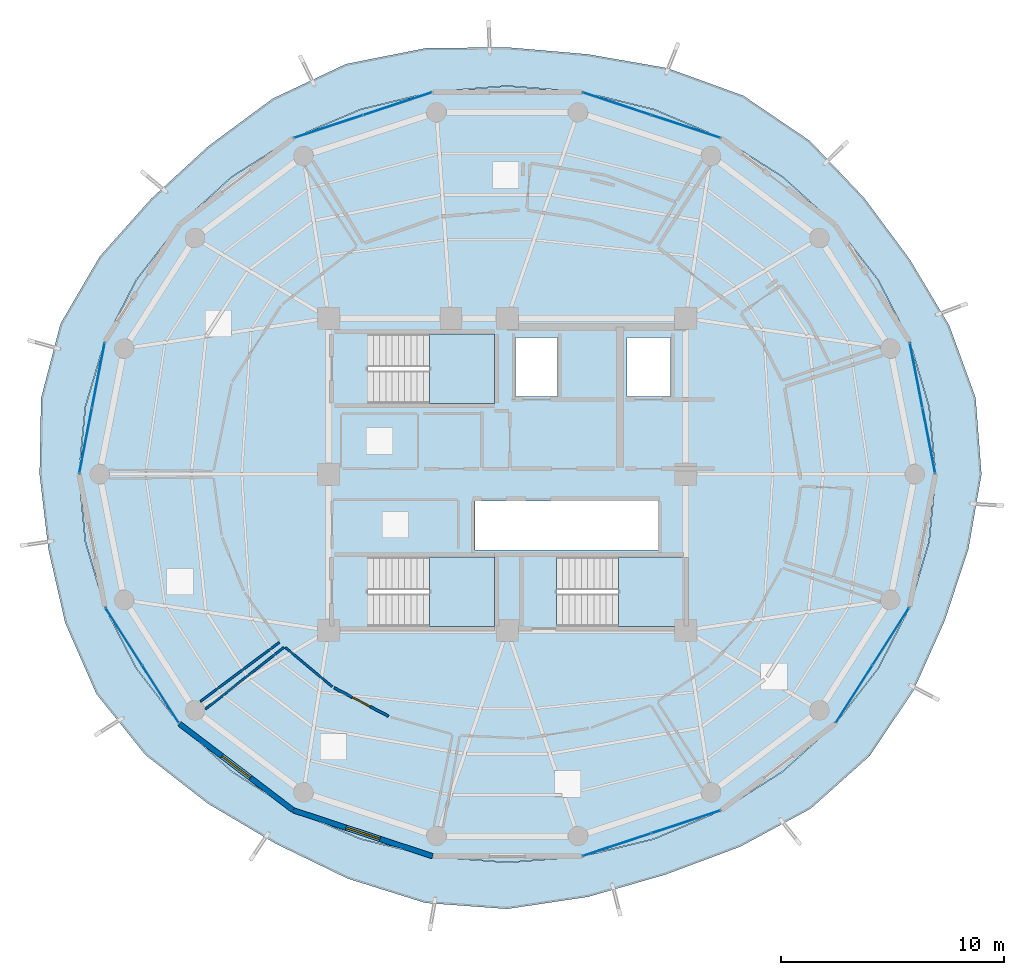
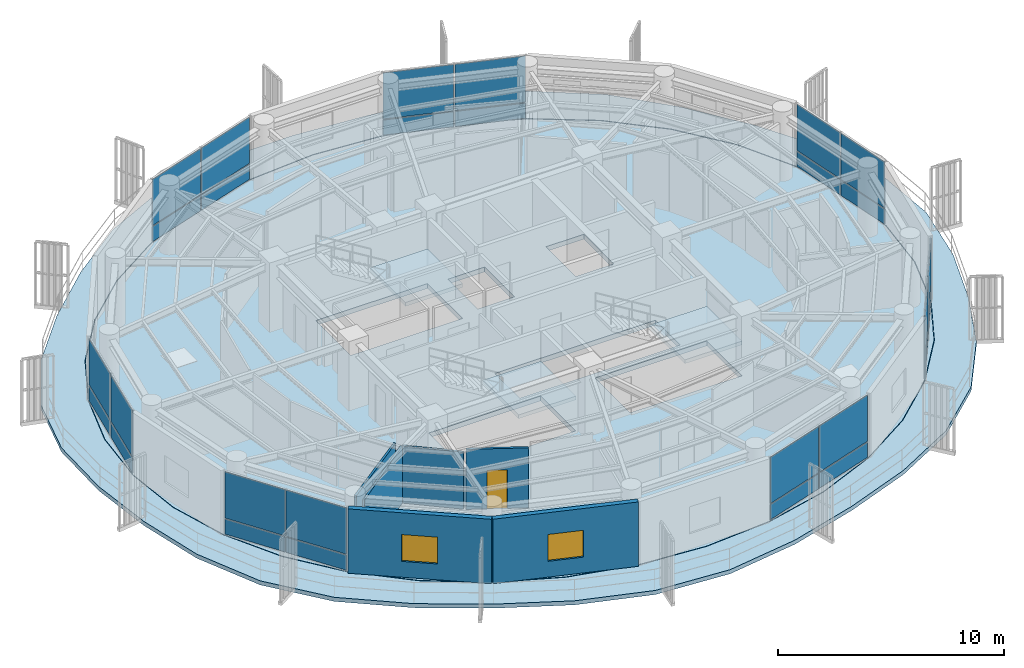
# One storey, part 14 of 22: 28 plates, 6 walls, 5 slabs, 2 windows, 1 door, 3 openings, 10 elements without a shape of their own.
"""IFC4 building model written with IfcOpenShell, lengths in metres."""

import ifcopenshell
import ifcopenshell.guid

model = None  # the IFC model being written
_history = None  # IfcOwnerHistory: only IFC2X3 demands one
_inside = {}  # id of a spatial element -> (the spatial element, [elements in it])
_under = {}  # id of a project, library or spatial element -> (it, [spatial elements below it])
_declared = {}  # id of a project -> (the project, [libraries it declares])
_typed = {}  # id of a type object -> (the type object, [elements of that type])
_made_of = {}  # id of a material, layer set ... -> (it, [elements and type objects made of it])


def new_model(schema):
    """Start an empty IFC model of exactly this schema.

    Asked for "IFC4X3", IfcOpenShell would pick the latest addendum, in which some entities
    have other attributes; the version numbers below select the first issue.
    IFC2X3 requires an IfcOwnerHistory on every rooted entity: one is made here for all.
    """
    global model, _history
    if schema == "IFC4X3":
        model = ifcopenshell.file(schema_version=(4, 3, 0, 0))
    else:
        model = ifcopenshell.file(schema=schema)
    _inside.clear()
    _under.clear()
    _declared.clear()
    _typed.clear()
    _made_of.clear()
    _history = None
    if model.schema == "IFC2X3":
        org = make("IfcOrganization", Name="unknown")
        user = make(
            "IfcPersonAndOrganization",
            ThePerson=make("IfcPerson", FamilyName="unknown"),
            TheOrganization=org,
        )
        app = make(
            "IfcApplication",
            ApplicationDeveloper=org,
            Version="unknown",
            ApplicationFullName="unknown",
            ApplicationIdentifier="unknown",
        )
        _history = make(
            "IfcOwnerHistory",
            OwningUser=user,
            OwningApplication=app,
            ChangeAction="ADDED",
            CreationDate=0,
        )
    return model


def make(cls, **values):
    """One entity of the class cls with the attributes given. An attribute that is None is left unset."""
    return model.create_entity(
        cls, **{name: value for name, value in values.items() if value is not None}
    )


def rooted(cls, **values):
    """An entity with a GlobalId (a new one), such as an element, a storey or a relation."""
    return make(cls, GlobalId=ifcopenshell.guid.new(), OwnerHistory=_history, **values)


def si_unit(unit_type, name, prefix=None):
    """IfcSIUnit, for example si_unit("LENGTHUNIT", "METRE", prefix="MILLI")."""
    return make("IfcSIUnit", UnitType=unit_type, Prefix=prefix, Name=name)


def assignment(units):
    """IfcUnitAssignment: the units of a project."""
    return None if units is None else make("IfcUnitAssignment", Units=units)


def point(xyz):
    """IfcCartesianPoint."""
    return None if xyz is None else make("IfcCartesianPoint", Coordinates=xyz)


def direction(xyz):
    """IfcDirection."""
    return None if xyz is None else make("IfcDirection", DirectionRatios=xyz)


def frame(location, z_axis=None, x_axis=None):
    """IfcAxis2Placement3D, a coordinate frame: its origin and axes. An axis left out is left unset."""
    return make(
        "IfcAxis2Placement3D",
        Location=point(location),
        Axis=direction(z_axis),
        RefDirection=direction(x_axis),
    )


def frame_2d(location, x_axis=None):
    """IfcAxis2Placement2D, a coordinate frame in the plane: its origin and x axis."""
    return make(
        "IfcAxis2Placement2D", Location=point(location), RefDirection=direction(x_axis)
    )


def origin():
    """The frame at (0, 0, 0) with its axes left unset."""
    return frame((0.0, 0.0, 0.0))


def origin_2d():
    """The frame at (0, 0) in the plane with its x axis left unset."""
    return frame_2d((0.0, 0.0))


def place(relative_to, where):
    """IfcLocalPlacement: puts the frame where relative to a parent placement (None: the world)."""
    return make(
        "IfcLocalPlacement", PlacementRelTo=relative_to, RelativePlacement=where
    )


def context(
    kind, dimensions, precision=None, world=None, true_north=None, identifier=None
):
    """IfcGeometricRepresentationContext, for example the 3D "Model" context."""
    return make(
        "IfcGeometricRepresentationContext",
        ContextIdentifier=identifier,
        ContextType=kind,
        CoordinateSpaceDimension=dimensions,
        Precision=precision,
        WorldCoordinateSystem=world,
        TrueNorth=true_north,
    )


def subcontext(parent, identifier, kind, view, scale=None):
    """IfcGeometricRepresentationSubContext, for example "Body" below "Model"."""
    return make(
        "IfcGeometricRepresentationSubContext",
        ContextIdentifier=identifier,
        ContextType=kind,
        ParentContext=parent,
        TargetScale=scale,
        TargetView=view,
    )


def project(units=None, contexts=None):
    """IfcProject with its units and contexts."""
    return rooted(
        "IfcProject",
        Name="project",
        RepresentationContexts=contexts,
        UnitsInContext=assignment(units),
    )


def spatial(cls, under=None, at=None, **own):
    """A site, building, storey or space (cls), placed at a placement, below another one or the project."""
    s = rooted(cls, ObjectPlacement=at, **own)
    if under is not None:
        _under.setdefault(under.id(), (under, []))[1].append(s)
    return s


def polyline(points):
    """IfcPolyline through the points."""
    return make("IfcPolyline", Points=[point(p) for p in points])


def profile(cls, at=None, kind="AREA", **sizes):
    """A parametric profile (cls). Its sizes go by their IFC names, for example OverallWidth=200.0."""
    return make(cls, ProfileType=kind, Position=at, **sizes)


def rectangle(**sizes):
    """IfcRectangleProfileDef."""
    return profile("IfcRectangleProfileDef", **sizes)


def outline(outer, holes=None, kind="AREA"):
    """IfcArbitraryClosedProfileDef: a profile drawn as a closed curve; with holes, ...WithVoids."""
    if holes is None:
        return make("IfcArbitraryClosedProfileDef", ProfileType=kind, OuterCurve=outer)
    return make(
        "IfcArbitraryProfileDefWithVoids",
        ProfileType=kind,
        OuterCurve=outer,
        InnerCurves=holes,
    )


def extrude(swept, where, along, depth):
    """IfcExtrudedAreaSolid: the profile swept, set in the frame where, extruded along a direction by depth."""
    return make(
        "IfcExtrudedAreaSolid",
        SweptArea=swept,
        Position=where,
        ExtrudedDirection=direction(along),
        Depth=depth,
    )


def shape(context_of_items, identifier, shape_type, items):
    """IfcShapeRepresentation: the items that make up one representation, for example the "Body"."""
    return make(
        "IfcShapeRepresentation",
        ContextOfItems=context_of_items,
        RepresentationIdentifier=identifier,
        RepresentationType=shape_type,
        Items=items,
    )


def source(mapping_origin, context_of_items, identifier, shape_type, items):
    """IfcRepresentationMap: a shape defined once, which mapped items show again and again."""
    return make(
        "IfcRepresentationMap",
        MappingOrigin=mapping_origin,
        MappedRepresentation=shape(context_of_items, identifier, shape_type, items),
    )


def transform(
    local_origin,
    x_axis=None,
    y_axis=None,
    z_axis=None,
    scale=None,
    scale2=None,
    scale3=None,
    uniform=True,
):
    """IfcCartesianTransformationOperator3D, or its non-uniform kind. x_axis, y_axis, z_axis: its Axis1, 2, 3."""
    if uniform:
        return make(
            "IfcCartesianTransformationOperator3D",
            Axis1=direction(x_axis),
            Axis2=direction(y_axis),
            LocalOrigin=point(local_origin),
            Scale=scale,
            Axis3=direction(z_axis),
        )
    return make(
        "IfcCartesianTransformationOperator3DnonUniform",
        Axis1=direction(x_axis),
        Axis2=direction(y_axis),
        LocalOrigin=point(local_origin),
        Scale=scale,
        Axis3=direction(z_axis),
        Scale2=scale2,
        Scale3=scale3,
    )


def mapped(mapping_source, mapping_target):
    """IfcMappedItem: shows the shape of a source again, moved by a transform."""
    return make(
        "IfcMappedItem", MappingSource=mapping_source, MappingTarget=mapping_target
    )


def material(Name=None, Category=None):
    """IfcMaterial."""
    return make("IfcMaterial", Name=Name, Category=Category)


def layer(
    of_material, thickness, ventilated=None, Name=None, Category=None, Priority=None
):
    """IfcMaterialLayer: one layer of a wall or slab, of a material (None: an air gap)."""
    return make(
        "IfcMaterialLayer",
        Material=of_material,
        LayerThickness=thickness,
        IsVentilated=ventilated,
        Name=Name,
        Category=Category,
        Priority=Priority,
    )


def layer_set(layers, Name=None):
    """IfcMaterialLayerSet."""
    return make("IfcMaterialLayerSet", MaterialLayers=layers, LayerSetName=Name)


def made_of(thing, what):
    """Note that an element or type object is made of a material, layer set ...; save() writes the relation."""
    if what is not None:
        _made_of.setdefault(what.id(), (what, []))[1].append(thing)
    return thing


def type_object(cls, material=None, **own):
    """A type object (cls), such as IfcWallType, which elements share."""
    return made_of(rooted(cls, **own), material)


def element(
    cls,
    number,
    at=None,
    inside=None,
    cuts=None,
    type_object=None,
    material=None,
    context=None,
    identifier="Body",
    shape_type=None,
    held_by="IfcProductDefinitionShape",
    body=None,
    shapes=None,
    **own,
):
    """One element of the class cls, such as IfcWall. Its Tag is "e" and its number.

    at: its placement. inside: the storey or other place that contains it. cuts: it is an
    opening in that element (IfcRelVoidsElement). A single representation is given by context,
    identifier, shape_type and body (its items); several are given by shapes. held_by: the class
    of the entity that holds the representations. save() writes the other relations.
    """
    e = rooted(cls, Tag="e%d" % number, ObjectPlacement=at, **own)
    if body is not None:
        shapes = [shape(context, identifier, shape_type, body)]
    if shapes is not None:
        e.Representation = make(held_by, Representations=shapes)
    if inside is not None:
        _inside.setdefault(inside.id(), (inside, []))[1].append(e)
    if cuts is not None:
        rooted(
            "IfcRelVoidsElement", RelatingBuildingElement=cuts, RelatedOpeningElement=e
        )
    if type_object is not None:
        _typed.setdefault(type_object.id(), (type_object, []))[1].append(e)
    return made_of(e, material)


def fill(opening, filler):
    """IfcRelFillsElement: the door or window that sits in an opening."""
    return rooted(
        "IfcRelFillsElement",
        RelatingOpeningElement=opening,
        RelatedBuildingElement=filler,
    )


def aggregate(whole, parts):
    """IfcRelAggregates: a whole, such as a stair, and the parts it consists of."""
    return rooted("IfcRelAggregates", RelatingObject=whole, RelatedObjects=parts)


def save(model, path):
    """Write the relations noted so far, then the file.

    IfcRelAggregates (storeys below a building ...), IfcRelContainedInSpatialStructure (elements
    in a storey), IfcRelDefinesByType, IfcRelAssociatesMaterial and IfcRelDeclares: one each for
    every whole, place, type object, material and project.
    """
    for whole, parts in _under.values():
        aggregate(whole, parts)
    for where, things in _inside.values():
        rooted(
            "IfcRelContainedInSpatialStructure",
            RelatedElements=things,
            RelatingStructure=where,
        )
    for kind, things in _typed.values():
        rooted("IfcRelDefinesByType", RelatedObjects=things, RelatingType=kind)
    for what, things in _made_of.values():
        rooted("IfcRelAssociatesMaterial", RelatedObjects=things, RelatingMaterial=what)
    for by, libraries in _declared.values():
        rooted("IfcRelDeclares", RelatingContext=by, RelatedDefinitions=libraries)
    model.write(path)


model = new_model("IFC4")

# Units and contexts
model_context = context("Model", 3, precision=1e-05, world=origin(), true_north=direction((0.0, 1.0)))
body_context = subcontext(model_context, "Body", "Model", "MODEL_VIEW")
ifc_project = project(units=[si_unit("LENGTHUNIT", "METRE"), si_unit("AREAUNIT", "SQUARE_METRE"), si_unit("VOLUMEUNIT", "CUBIC_METRE"), si_unit("PLANEANGLEUNIT", "RADIAN"), si_unit("MASSUNIT", "GRAM", prefix="KILO")], contexts=[model_context])

# Site, building, storey
site_placement = place(None, origin())
site = spatial("IfcSite", under=ifc_project, at=site_placement, CompositionType="ELEMENT")
building_placement = place(site_placement, origin())
building = spatial("IfcBuilding", under=site, at=building_placement, Name="Kelanora Arch Commons", CompositionType="ELEMENT")
storey_placement = place(building_placement, frame((0.0, 0.0, 263.699951171875)))
storey = spatial("IfcBuildingStorey", under=building, at=storey_placement, Name="L67", CompositionType="ELEMENT", Elevation=263.699951171875)

# Stair, slab
ifc_material_1 = material(Name="Concrete C40/50", Category="concrete")
stair_type = type_object("IfcStairType", Name="STR-DL-375", PredefinedType="HALF_TURN_STAIR", material=ifc_material_1)
stair_1_placement = place(storey_placement, origin())
stair_1 = element("IfcStair", 1, at=stair_1_placement, inside=storey, type_object=stair_type, Name="L67 ST-T1", PredefinedType="HALF_TURN_STAIR")
ifc_layer_1 = layer(ifc_material_1, 0.199951171875)
ifc_layer_set_1 = layer_set([ifc_layer_1], Name="Concrete C40/50")
slab_type_1 = type_object("IfcSlabType", Name="SLB-STAIR-LND", PredefinedType="LANDING", material=ifc_layer_set_1)
slab_1_placement = place(storey_placement, frame((0.0, 0.0, 1.675048828125)))
slab_1 = element("IfcSlab", 2, at=slab_1_placement, type_object=slab_type_1, Name="ST-T1 landing 1", PredefinedType="LANDING", context=body_context, shape_type="SweptSolid", body=[
    extrude(outline(polyline([(70.52001953125, 61.179931640625), (73.43994140625, 61.179931640625), (73.43994140625, 64.2900390625), (70.52001953125, 64.2900390625), (70.52001953125, 61.179931640625)])), origin(), (0.0, 0.0, 1.0), 0.199951171875),
])
aggregate(stair_1, [slab_1])

stair_2_placement = place(storey_placement, origin())
stair_2 = element("IfcStair", 3, at=stair_2_placement, inside=storey, type_object=stair_type, Name="L67 ST-T2", PredefinedType="HALF_TURN_STAIR")
slab_2_placement = place(storey_placement, frame((0.0, 0.0, 1.675048828125)))
slab_2 = element("IfcSlab", 4, at=slab_2_placement, type_object=slab_type_1, Name="ST-T2 landing 1", PredefinedType="LANDING", context=body_context, shape_type="SweptSolid", body=[
    extrude(outline(polyline([(79.0, 51.179931640625), (81.919921875, 51.179931640625), (81.919921875, 54.2900390625), (79.0, 54.2900390625), (79.0, 51.179931640625)])), origin(), (0.0, 0.0, 1.0), 0.199951171875),
])
aggregate(stair_2, [slab_2])

stair_3_placement = place(storey_placement, origin())
stair_3 = element("IfcStair", 5, at=stair_3_placement, inside=storey, type_object=stair_type, Name="L67 ST-T3", PredefinedType="HALF_TURN_STAIR")
slab_3_placement = place(storey_placement, frame((0.0, 0.0, 1.675048828125)))
slab_3 = element("IfcSlab", 6, at=slab_3_placement, type_object=slab_type_1, Name="ST-T3 landing 1", PredefinedType="LANDING", context=body_context, shape_type="SweptSolid", body=[
    extrude(outline(polyline([(70.52001953125, 51.179931640625), (73.43994140625, 51.179931640625), (73.43994140625, 54.2900390625), (70.52001953125, 54.2900390625), (70.52001953125, 51.179931640625)])), origin(), (0.0, 0.0, 1.0), 0.199951171875),
])
aggregate(stair_3, [slab_3])

# Slabs
ifc_layer_2 = layer(ifc_material_1, 0.260009765625)
ifc_layer_set_2 = layer_set([ifc_layer_2], Name="Concrete C40/50")
slab_type_2 = type_object("IfcSlabType", Name="SLB-TWR-TYP", PredefinedType="FLOOR", material=ifc_layer_set_2)
slab_4_placement = place(storey_placement, frame((0.0, 0.0, -0.260009765625)))
element("IfcSlab", 7, at=slab_4_placement, inside=storey, type_object=slab_type_2, Name="Tower Floor Slab L67", PredefinedType="FLOOR", context=body_context, shape_type="SweptSolid", body=[
    extrude(outline(polyline([(93.199951171875, 58.0), (92.908203125, 61.021484375), (92.0419921875, 63.951171875), (90.627685546875, 66.699951171875), (88.7080078125, 69.1845703125), (86.341552734375, 71.3291015625), (83.60009765625, 73.06884765625), (80.56689453125, 74.3505859375), (77.333984375, 75.1357421875), (74.0, 75.39990234375), (70.666015625, 75.1357421875), (67.43310546875, 74.3505859375), (64.39990234375, 73.06884765625), (61.658447265625, 71.3291015625), (59.2919921875, 69.1845703125), (57.372314453125, 66.699951171875), (55.9580078125, 63.951171875), (55.091796875, 61.021484375), (54.800048828125, 58.0), (55.091796875, 54.978515625), (55.9580078125, 52.048828125), (57.372314453125, 49.300048828125), (59.2919921875, 46.8154296875), (61.658447265625, 44.6708984375), (64.39990234375, 42.93115234375), (67.43310546875, 41.6494140625), (70.666015625, 40.8642578125), (74.0, 40.60009765625), (77.333984375, 40.8642578125), (80.56689453125, 41.6494140625), (83.60009765625, 42.93115234375), (86.341552734375, 44.6708984375), (88.7080078125, 46.8154296875), (90.627685546875, 49.300048828125), (92.0419921875, 52.048828125), (92.908203125, 54.978515625), (93.199951171875, 58.0)]), holes=[polyline([(73.431884765625, 51.18798828125), (67.72802734375, 51.18798828125), (67.72802734375, 54.281982421875), (73.431884765625, 54.281982421875), (73.431884765625, 51.18798828125)]), polyline([(76.2080078125, 51.18798828125), (76.2080078125, 54.281982421875), (81.912109375, 54.281982421875), (81.912109375, 51.18798828125), (76.2080078125, 51.18798828125)]), polyline([(72.550048828125, 54.60009765625), (72.550048828125, 56.800048828125), (80.75, 56.800048828125), (80.75, 54.60009765625), (72.550048828125, 54.60009765625)]), polyline([(73.431884765625, 61.18798828125), (67.72802734375, 61.18798828125), (67.72802734375, 64.281982421875), (73.431884765625, 64.281982421875), (73.431884765625, 61.18798828125)]), polyline([(74.3798828125, 61.47998046875), (74.3798828125, 64.1201171875), (76.260009765625, 64.1201171875), (76.260009765625, 61.47998046875), (74.3798828125, 61.47998046875)]), polyline([(79.3798828125, 61.47998046875), (79.3798828125, 64.1201171875), (81.320068359375, 64.1201171875), (81.320068359375, 61.47998046875), (79.3798828125, 61.47998046875)])]), origin(), (0.0, 0.0, 1.0), 0.260009765625),
])
ifc_layer_3 = layer(ifc_material_1, 0.219970703125)
ifc_layer_set_3 = layer_set([ifc_layer_3], Name="Concrete C40/50")
slab_type_3 = type_object("IfcSlabType", Name="SLB-WAVE-BAL", PredefinedType="FLOOR", material=ifc_layer_set_3)
slab_5_placement = place(storey_placement, frame((0.0, 0.0, -0.219970703125)))
element("IfcSlab", 8, at=slab_5_placement, inside=storey, type_object=slab_type_3, Name="Sinusoidal Wave Balcony Slab L67", PredefinedType="FLOOR", context=body_context, shape_type="SweptSolid", body=[
    extrude(outline(polyline([(95.264404296875, 58.0), (95.001708984375, 61.4287109375), (93.82080078125, 64.66552734375), (92.06201171875, 67.61376953125), (90.006103515625, 70.38623046875), (87.5712890625, 72.9462890625), (84.593505859375, 74.9677734375), (81.1796875, 76.208740234375), (77.60498046875, 76.83154296875), (74.0, 77.140380859375), (70.35107421875, 77.10595703125), (66.7607421875, 76.389404296875), (63.47509765625, 74.8369140625), (60.60498046875, 72.714599609375), (58.03173828125, 70.351318359375), (55.72216796875, 67.751220703125), (53.968994140625, 64.75), (53.097412109375, 61.409423828125), (53.03125, 58.0), (53.422607421875, 54.65380859375), (54.17919921875, 51.33447265625), (55.573486328125, 48.154052734375), (57.777099609375, 45.412841796875), (60.56787109375, 43.23681640625), (63.616455078125, 41.43359375), (66.84521484375, 39.8671875), (70.33203125, 38.77490234375), (74.0, 38.507080078125), (77.6240234375, 39.04931640625), (81.09521484375, 40.047607421875), (84.4521484375, 41.302490234375), (87.6083984375, 43.0048828125), (90.260498046875, 45.3779296875), (92.21044921875, 48.29150390625), (93.610595703125, 51.4189453125), (94.6767578125, 54.634521484375), (95.264404296875, 58.0)]), holes=[polyline([(92.927978515625, 54.97509765625), (92.060791015625, 52.0419921875), (90.64501953125, 49.2900390625), (88.723388671875, 46.802490234375), (86.3544921875, 44.655517578125), (83.610107421875, 42.913818359375), (80.573486328125, 41.630615234375), (77.33740234375, 40.844482421875), (74.0, 40.580078125), (70.66259765625, 40.844482421875), (67.426513671875, 41.630615234375), (64.389892578125, 42.913818359375), (61.6455078125, 44.655517578125), (59.276611328125, 46.802490234375), (57.35498046875, 49.2900390625), (55.939208984375, 52.0419921875), (55.072021484375, 54.97509765625), (54.780029296875, 58.0), (55.072021484375, 61.02490234375), (55.939208984375, 63.9580078125), (57.35498046875, 66.7099609375), (59.276611328125, 69.197509765625), (61.6455078125, 71.344482421875), (64.389892578125, 73.086181640625), (67.426513671875, 74.369384765625), (70.66259765625, 75.155517578125), (74.0, 75.419921875), (77.33740234375, 75.155517578125), (80.573486328125, 74.369384765625), (83.610107421875, 73.086181640625), (86.3544921875, 71.344482421875), (88.723388671875, 69.197509765625), (90.64501953125, 66.7099609375), (92.060791015625, 63.9580078125), (92.927978515625, 61.02490234375), (93.219970703125, 58.0), (92.927978515625, 54.97509765625)])]), origin(), (0.0, 0.0, 1.0), 0.219970703125),
])

# Curtain wall, plates
ifc_material_2 = material(Name="Terracotta ceramic-fritted low-E glass and aluminium", Category="masonry")
ifc_layer_4 = layer(ifc_material_2, 0.18994140625)
ifc_layer_set_4 = layer_set([ifc_layer_4], Name="Terracotta ceramic-fritted low-E glass and aluminium")
curtain_wall_type = type_object("IfcCurtainWallType", Name="CW-SYS-03", PredefinedType="NOTDEFINED", material=ifc_layer_set_4)
curtain_wall_1_placement = place(storey_placement, origin())
curtain_wall_1 = element("IfcCurtainWall", 9, at=curtain_wall_1_placement, inside=storey, type_object=curtain_wall_type, Name="Unitised Curtain Wall L67-B00", PredefinedType="NOTDEFINED")
ifc_material_3 = material(Name="Terracotta ceramic-fritted double glazing", Category="masonry")
ifc_layer_5 = layer(ifc_material_3, 0.028076171875)
ifc_layer_set_5 = layer_set([ifc_layer_5], Name="Terracotta ceramic-fritted double glazing")
plate_type = type_object("IfcPlateType", Name="CWP-FRIT", PredefinedType="CURTAIN_PANEL", material=ifc_layer_set_5)
shared_shape_1 = source(origin(), body_context, "Body", "SweptSolid", [
    extrude(rectangle(XDim=2.926513671875, YDim=0.028076171875, at=origin_2d()), origin(), (0.0, 0.0, 1.0), 0.81005859375),
])
plate_1_placement = place(storey_placement, frame((92.90625, 59.509765625, 0.06005859375), z_axis=(0.0, 0.0, 1.0), x_axis=(-0.190971701941, 0.981595542501, 0.0)))
plate_1 = element("IfcPlate", 10, at=plate_1_placement, type_object=plate_type, Name="CW-03 panel 1.1", PredefinedType="CURTAIN_PANEL", context=body_context, shape_type="MappedRepresentation", body=[
    mapped(shared_shape_1, transform((0.0, 0.0, 0.0), scale=1.0)),
])
plate_2_placement = place(storey_placement, frame((92.3359375, 62.44140625, 0.06005859375), z_axis=(0.0, 0.0, 1.0), x_axis=(-0.190971701941, 0.981595542501, 0.0)))
plate_2 = element("IfcPlate", 11, at=plate_2_placement, type_object=plate_type, Name="CW-03 panel 2.1", PredefinedType="CURTAIN_PANEL", context=body_context, shape_type="MappedRepresentation", body=[
    mapped(shared_shape_1, transform((0.0, 0.0, 0.0), scale=1.0)),
])

curtain_wall_2_placement = place(storey_placement, origin())
curtain_wall_2 = element("IfcCurtainWall", 12, at=curtain_wall_2_placement, inside=storey, type_object=curtain_wall_type, Name="Unitised Curtain Wall L67-B08", PredefinedType="NOTDEFINED")
plate_3_placement = place(storey_placement, frame((55.6640625, 62.44140625, 0.06005859375), z_axis=(0.0, 0.0, 1.0), x_axis=(-0.190971701941, -0.981595542501, 0.0)))
plate_3 = element("IfcPlate", 13, at=plate_3_placement, type_object=plate_type, Name="CW-03 panel 1.1", PredefinedType="CURTAIN_PANEL", context=body_context, shape_type="MappedRepresentation", body=[
    mapped(shared_shape_1, transform((0.0, 0.0, 0.0), scale=1.0)),
])
plate_4_placement = place(storey_placement, frame((55.09375, 59.509765625, 0.06005859375), z_axis=(0.0, 0.0, 1.0), x_axis=(-0.190971701941, -0.981595542501, 0.0)))
plate_4 = element("IfcPlate", 14, at=plate_4_placement, type_object=plate_type, Name="CW-03 panel 2.1", PredefinedType="CURTAIN_PANEL", context=body_context, shape_type="MappedRepresentation", body=[
    mapped(shared_shape_1, transform((0.0, 0.0, 0.0), scale=1.0)),
])

# Plate
shared_shape_2 = source(origin(), body_context, "Body", "SweptSolid", [
    extrude(rectangle(XDim=2.926513671875, YDim=0.028076171875, at=origin_2d()), origin(), (0.0, 0.0, 1.0), 2.485107421875),
])
plate_5_placement = place(storey_placement, frame((92.90625, 59.509765625, 0.93017578125), z_axis=(0.0, 0.0, 1.0), x_axis=(-0.190971701941, 0.981595542501, 0.0)))
plate_5 = element("IfcPlate", 15, at=plate_5_placement, type_object=plate_type, Name="CW-03 panel 1.2", PredefinedType="CURTAIN_PANEL", context=body_context, shape_type="MappedRepresentation", body=[
    mapped(shared_shape_2, transform((0.0, 0.0, 0.0), scale=1.0)),
])

plate_6_placement = place(storey_placement, frame((92.3359375, 62.44140625, 0.93017578125), z_axis=(0.0, 0.0, 1.0), x_axis=(-0.190971701941, 0.981595542501, 0.0)))
plate_6 = element("IfcPlate", 16, at=plate_6_placement, type_object=plate_type, Name="CW-03 panel 2.2", PredefinedType="CURTAIN_PANEL", context=body_context, shape_type="MappedRepresentation", body=[
    mapped(shared_shape_2, transform((0.0, 0.0, 0.0), scale=1.0)),
])

aggregate(curtain_wall_1, [plate_1, plate_5, plate_2, plate_6])

plate_7_placement = place(storey_placement, frame((55.6640625, 62.44140625, 0.93017578125), z_axis=(0.0, 0.0, 1.0), x_axis=(-0.190971701941, -0.981595542501, 0.0)))
plate_7 = element("IfcPlate", 17, at=plate_7_placement, type_object=plate_type, Name="CW-03 panel 1.2", PredefinedType="CURTAIN_PANEL", context=body_context, shape_type="MappedRepresentation", body=[
    mapped(shared_shape_2, transform((0.0, 0.0, 0.0), scale=1.0)),
])

plate_8_placement = place(storey_placement, frame((55.09375, 59.509765625, 0.93017578125), z_axis=(0.0, 0.0, 1.0), x_axis=(-0.190971701941, -0.981595542501, 0.0)))
plate_8 = element("IfcPlate", 18, at=plate_8_placement, type_object=plate_type, Name="CW-03 panel 2.2", PredefinedType="CURTAIN_PANEL", context=body_context, shape_type="MappedRepresentation", body=[
    mapped(shared_shape_2, transform((0.0, 0.0, 0.0), scale=1.0)),
])

aggregate(curtain_wall_2, [plate_3, plate_7, plate_4, plate_8])

# Curtain wall, plates
curtain_wall_3_placement = place(storey_placement, origin())
curtain_wall_3 = element("IfcCurtainWall", 19, at=curtain_wall_3_placement, inside=storey, type_object=curtain_wall_type, Name="Unitised Curtain Wall L67-B03", PredefinedType="NOTDEFINED")
shared_shape_3 = source(origin(), body_context, "Body", "SweptSolid", [
    extrude(rectangle(XDim=3.194091796875, YDim=0.028076171875, at=origin_2d()), origin(), (0.0, 0.0, 1.0), 0.81005859375),
])
plate_9_placement = place(storey_placement, frame((82.01220703125, 73.592529296875, 0.06005859375), z_axis=(0.0, 0.0, 1.0), x_axis=(-0.949669780752, 0.313252785344, 0.0)))
plate_9 = element("IfcPlate", 20, at=plate_9_placement, type_object=plate_type, Name="CW-03 panel 1.1", PredefinedType="CURTAIN_PANEL", context=body_context, shape_type="MappedRepresentation", body=[
    mapped(shared_shape_3, transform((0.0, 0.0, 0.0), scale=1.0)),
])
plate_10_placement = place(storey_placement, frame((78.921875, 74.61181640625, 0.06005859375), z_axis=(0.0, 0.0, 1.0), x_axis=(-0.949669780752, 0.313252785344, 0.0)))
plate_10 = element("IfcPlate", 21, at=plate_10_placement, type_object=plate_type, Name="CW-03 panel 2.1", PredefinedType="CURTAIN_PANEL", context=body_context, shape_type="MappedRepresentation", body=[
    mapped(shared_shape_3, transform((0.0, 0.0, 0.0), scale=1.0)),
])

curtain_wall_4_placement = place(storey_placement, origin())
curtain_wall_4 = element("IfcCurtainWall", 22, at=curtain_wall_4_placement, inside=storey, type_object=curtain_wall_type, Name="Unitised Curtain Wall L67-B05", PredefinedType="NOTDEFINED")
plate_11_placement = place(storey_placement, frame((69.078125, 74.61181640625, 0.06005859375), z_axis=(0.0, 0.0, 1.0), x_axis=(-0.949669780752, -0.313252785344, 0.0)))
plate_11 = element("IfcPlate", 23, at=plate_11_placement, type_object=plate_type, Name="CW-03 panel 1.1", PredefinedType="CURTAIN_PANEL", context=body_context, shape_type="MappedRepresentation", body=[
    mapped(shared_shape_3, transform((0.0, 0.0, 0.0), scale=1.0)),
])
plate_12_placement = place(storey_placement, frame((65.98779296875, 73.592529296875, 0.06005859375), z_axis=(0.0, 0.0, 1.0), x_axis=(-0.949669780752, -0.313252785344, 0.0)))
plate_12 = element("IfcPlate", 24, at=plate_12_placement, type_object=plate_type, Name="CW-03 panel 2.1", PredefinedType="CURTAIN_PANEL", context=body_context, shape_type="MappedRepresentation", body=[
    mapped(shared_shape_3, transform((0.0, 0.0, 0.0), scale=1.0)),
])

curtain_wall_5_placement = place(storey_placement, origin())
curtain_wall_5 = element("IfcCurtainWall", 25, at=curtain_wall_5_placement, inside=storey, type_object=curtain_wall_type, Name="Unitised Curtain Wall L67-B14", PredefinedType="NOTDEFINED")
plate_13_placement = place(storey_placement, frame((78.921875, 41.38818359375, 0.06005859375), z_axis=(0.0, 0.0, 1.0), x_axis=(0.949669780752, 0.313252785344, 0.0)))
plate_13 = element("IfcPlate", 26, at=plate_13_placement, type_object=plate_type, Name="CW-03 panel 1.1", PredefinedType="CURTAIN_PANEL", context=body_context, shape_type="MappedRepresentation", body=[
    mapped(shared_shape_3, transform((0.0, 0.0, 0.0), scale=1.0)),
])
plate_14_placement = place(storey_placement, frame((82.01220703125, 42.407470703125, 0.06005859375), z_axis=(0.0, 0.0, 1.0), x_axis=(0.949669780752, 0.313252785344, 0.0)))
plate_14 = element("IfcPlate", 27, at=plate_14_placement, type_object=plate_type, Name="CW-03 panel 2.1", PredefinedType="CURTAIN_PANEL", context=body_context, shape_type="MappedRepresentation", body=[
    mapped(shared_shape_3, transform((0.0, 0.0, 0.0), scale=1.0)),
])

# Plate
shared_shape_4 = source(origin(), body_context, "Body", "SweptSolid", [
    extrude(rectangle(XDim=3.194091796875, YDim=0.028076171875, at=origin_2d()), origin(), (0.0, 0.0, 1.0), 2.485107421875),
])
plate_15_placement = place(storey_placement, frame((82.01220703125, 73.592529296875, 0.93017578125), z_axis=(0.0, 0.0, 1.0), x_axis=(-0.949669780752, 0.313252785344, 0.0)))
plate_15 = element("IfcPlate", 28, at=plate_15_placement, type_object=plate_type, Name="CW-03 panel 1.2", PredefinedType="CURTAIN_PANEL", context=body_context, shape_type="MappedRepresentation", body=[
    mapped(shared_shape_4, transform((0.0, 0.0, 0.0), scale=1.0)),
])

plate_16_placement = place(storey_placement, frame((78.921875, 74.61181640625, 0.93017578125), z_axis=(0.0, 0.0, 1.0), x_axis=(-0.949669780752, 0.313252785344, 0.0)))
plate_16 = element("IfcPlate", 29, at=plate_16_placement, type_object=plate_type, Name="CW-03 panel 2.2", PredefinedType="CURTAIN_PANEL", context=body_context, shape_type="MappedRepresentation", body=[
    mapped(shared_shape_4, transform((0.0, 0.0, 0.0), scale=1.0)),
])

aggregate(curtain_wall_3, [plate_9, plate_15, plate_10, plate_16])

plate_17_placement = place(storey_placement, frame((69.078125, 74.61181640625, 0.93017578125), z_axis=(0.0, 0.0, 1.0), x_axis=(-0.949669780752, -0.313252785344, 0.0)))
plate_17 = element("IfcPlate", 30, at=plate_17_placement, type_object=plate_type, Name="CW-03 panel 1.2", PredefinedType="CURTAIN_PANEL", context=body_context, shape_type="MappedRepresentation", body=[
    mapped(shared_shape_4, transform((0.0, 0.0, 0.0), scale=1.0)),
])

plate_18_placement = place(storey_placement, frame((65.98779296875, 73.592529296875, 0.93017578125), z_axis=(0.0, 0.0, 1.0), x_axis=(-0.949669780752, -0.313252785344, 0.0)))
plate_18 = element("IfcPlate", 31, at=plate_18_placement, type_object=plate_type, Name="CW-03 panel 2.2", PredefinedType="CURTAIN_PANEL", context=body_context, shape_type="MappedRepresentation", body=[
    mapped(shared_shape_4, transform((0.0, 0.0, 0.0), scale=1.0)),
])

aggregate(curtain_wall_4, [plate_11, plate_17, plate_12, plate_18])

plate_19_placement = place(storey_placement, frame((78.921875, 41.38818359375, 0.93017578125), z_axis=(0.0, 0.0, 1.0), x_axis=(0.949669780752, 0.313252785344, 0.0)))
plate_19 = element("IfcPlate", 32, at=plate_19_placement, type_object=plate_type, Name="CW-03 panel 1.2", PredefinedType="CURTAIN_PANEL", context=body_context, shape_type="MappedRepresentation", body=[
    mapped(shared_shape_4, transform((0.0, 0.0, 0.0), scale=1.0)),
])

plate_20_placement = place(storey_placement, frame((82.01220703125, 42.407470703125, 0.93017578125), z_axis=(0.0, 0.0, 1.0), x_axis=(0.949669780752, 0.313252785344, 0.0)))
plate_20 = element("IfcPlate", 33, at=plate_20_placement, type_object=plate_type, Name="CW-03 panel 2.2", PredefinedType="CURTAIN_PANEL", context=body_context, shape_type="MappedRepresentation", body=[
    mapped(shared_shape_4, transform((0.0, 0.0, 0.0), scale=1.0)),
])

aggregate(curtain_wall_5, [plate_13, plate_19, plate_14, plate_20])

# Curtain wall, plates
curtain_wall_6_placement = place(storey_placement, origin())
curtain_wall_6 = element("IfcCurtainWall", 34, at=curtain_wall_6_placement, inside=storey, type_object=curtain_wall_type, Name="Unitised Curtain Wall L67-B10", PredefinedType="NOTDEFINED")
shared_shape_5 = source(origin(), body_context, "Body", "SweptSolid", [
    extrude(rectangle(XDim=2.99755859375, YDim=0.028076171875, at=origin_2d()), origin(), (0.0, 0.0, 1.0), 0.81005859375),
])
plate_21_placement = place(storey_placement, frame((56.803466796875, 50.721435546875, 0.06005859375), z_axis=(0.0, 0.0, 1.0), x_axis=(0.537299814397, -0.843391314545, 0.0)))
plate_21 = element("IfcPlate", 35, at=plate_21_placement, type_object=plate_type, Name="CW-03 panel 1.1", PredefinedType="CURTAIN_PANEL", context=body_context, shape_type="MappedRepresentation", body=[
    mapped(shared_shape_5, transform((0.0, 0.0, 0.0), scale=1.0)),
])
plate_22_placement = place(storey_placement, frame((58.4462890625, 48.142822265625, 0.06005859375), z_axis=(0.0, 0.0, 1.0), x_axis=(0.537299814397, -0.843391314545, 0.0)))
plate_22 = element("IfcPlate", 36, at=plate_22_placement, type_object=plate_type, Name="CW-03 panel 2.1", PredefinedType="CURTAIN_PANEL", context=body_context, shape_type="MappedRepresentation", body=[
    mapped(shared_shape_5, transform((0.0, 0.0, 0.0), scale=1.0)),
])

curtain_wall_7_placement = place(storey_placement, origin())
curtain_wall_7 = element("IfcCurtainWall", 37, at=curtain_wall_7_placement, inside=storey, type_object=curtain_wall_type, Name="Unitised Curtain Wall L67-B16", PredefinedType="NOTDEFINED")
plate_23_placement = place(storey_placement, frame((89.5537109375, 48.142822265625, 0.06005859375), z_axis=(0.0, 0.0, 1.0), x_axis=(0.537299814397, 0.843391314545, 0.0)))
plate_23 = element("IfcPlate", 38, at=plate_23_placement, type_object=plate_type, Name="CW-03 panel 1.1", PredefinedType="CURTAIN_PANEL", context=body_context, shape_type="MappedRepresentation", body=[
    mapped(shared_shape_5, transform((0.0, 0.0, 0.0), scale=1.0)),
])
plate_24_placement = place(storey_placement, frame((91.196533203125, 50.721435546875, 0.06005859375), z_axis=(0.0, 0.0, 1.0), x_axis=(0.537299814397, 0.843391314545, 0.0)))
plate_24 = element("IfcPlate", 39, at=plate_24_placement, type_object=plate_type, Name="CW-03 panel 2.1", PredefinedType="CURTAIN_PANEL", context=body_context, shape_type="MappedRepresentation", body=[
    mapped(shared_shape_5, transform((0.0, 0.0, 0.0), scale=1.0)),
])

# Plate
shared_shape_6 = source(origin(), body_context, "Body", "SweptSolid", [
    extrude(rectangle(XDim=2.99755859375, YDim=0.028076171875, at=origin_2d()), origin(), (0.0, 0.0, 1.0), 2.485107421875),
])
plate_25_placement = place(storey_placement, frame((56.803466796875, 50.721435546875, 0.93017578125), z_axis=(0.0, 0.0, 1.0), x_axis=(0.537299814397, -0.843391314545, 0.0)))
plate_25 = element("IfcPlate", 40, at=plate_25_placement, type_object=plate_type, Name="CW-03 panel 1.2", PredefinedType="CURTAIN_PANEL", context=body_context, shape_type="MappedRepresentation", body=[
    mapped(shared_shape_6, transform((0.0, 0.0, 0.0), scale=1.0)),
])

plate_26_placement = place(storey_placement, frame((58.4462890625, 48.142822265625, 0.93017578125), z_axis=(0.0, 0.0, 1.0), x_axis=(0.537299814397, -0.843391314545, 0.0)))
plate_26 = element("IfcPlate", 41, at=plate_26_placement, type_object=plate_type, Name="CW-03 panel 2.2", PredefinedType="CURTAIN_PANEL", context=body_context, shape_type="MappedRepresentation", body=[
    mapped(shared_shape_6, transform((0.0, 0.0, 0.0), scale=1.0)),
])

aggregate(curtain_wall_6, [plate_21, plate_25, plate_22, plate_26])

plate_27_placement = place(storey_placement, frame((89.5537109375, 48.142822265625, 0.93017578125), z_axis=(0.0, 0.0, 1.0), x_axis=(0.537299814397, 0.843391314545, 0.0)))
plate_27 = element("IfcPlate", 42, at=plate_27_placement, type_object=plate_type, Name="CW-03 panel 1.2", PredefinedType="CURTAIN_PANEL", context=body_context, shape_type="MappedRepresentation", body=[
    mapped(shared_shape_6, transform((0.0, 0.0, 0.0), scale=1.0)),
])

plate_28_placement = place(storey_placement, frame((91.196533203125, 50.721435546875, 0.93017578125), z_axis=(0.0, 0.0, 1.0), x_axis=(0.537299814397, 0.843391314545, 0.0)))
plate_28 = element("IfcPlate", 43, at=plate_28_placement, type_object=plate_type, Name="CW-03 panel 2.2", PredefinedType="CURTAIN_PANEL", context=body_context, shape_type="MappedRepresentation", body=[
    mapped(shared_shape_6, transform((0.0, 0.0, 0.0), scale=1.0)),
])

aggregate(curtain_wall_7, [plate_23, plate_27, plate_24, plate_28])

# Wall, opening, window
ifc_material_4 = material(Name="Precast concrete C40/50 upper-zone terracotta rainscreen", Category="masonry")
ifc_layer_6 = layer(ifc_material_4, 0.239990234375)
ifc_layer_set_6 = layer_set([ifc_layer_6], Name="Precast concrete C40/50 upper-zone terracotta rainscreen")
wall_type_1 = type_object("IfcWallType", Name="W-EXT-TC2", PredefinedType="SOLIDWALL", material=ifc_layer_set_6)
wall_1_placement = place(storey_placement, frame((59.3037109375, 46.806396484375, 0.0), z_axis=(0.0, 0.0, 1.0), x_axis=(0.796010444211, -0.605282886514, 0.0)))
wall_1 = element("IfcWall", 44, at=wall_1_placement, inside=storey, type_object=wall_type_1, Name="Terracotta Exterior Wall L67-B11", PredefinedType="SOLIDWALL", context=body_context, shape_type="SweptSolid", body=[
    extrude(rectangle(XDim=6.387451171875, YDim=0.239990234375, at=frame_2d((3.19384765625, 0.0))), origin(), (0.0, 0.0, 1.0), 3.47509765625),
])
opening_1_placement = place(wall_1_placement, frame((2.39404296875, 0.0, 0.85009765625)))
opening_1 = element("IfcOpeningElement", 45, at=opening_1_placement, cuts=wall_1, Name="Opening WN-01", PredefinedType="OPENING", context=body_context, shape_type="SweptSolid", body=[
    extrude(rectangle(XDim=1.60009765625, YDim=1.449951171875, at=frame_2d((0.800048828125, 0.72509765625))), frame((0.0, 0.1298828125, 0.0), z_axis=(0.0, -1.0, 0.0), x_axis=(1.0, 0.0, 0.0)), (0.0, 0.0, 1.0), 0.260009765625),
])
ifc_material_5 = material(Name="Terracotta-anodised aluminium frame with operable low-E glazing", Category="masonry")
window_type = type_object("IfcWindowType", Name="WIN-CL-18", PartitioningType="DOUBLE_PANEL_VERTICAL", PredefinedType="WINDOW", material=ifc_material_5)
window_1_placement = place(opening_1_placement, origin())
window_1 = element("IfcWindow", 46, at=window_1_placement, inside=storey, type_object=window_type, Name="Co-Living Operable Window L67-B11", OverallHeight=1.449951171875, OverallWidth=1.60009765625, PartitioningType="SINGLE_PANEL", PredefinedType="WINDOW", context=body_context, shape_type="SweptSolid", body=[
    extrude(rectangle(XDim=1.60009765625, YDim=1.449951171875, at=frame_2d((0.800048828125, 0.72509765625))), frame((0.0, 0.030029296875, 0.0), z_axis=(0.0, -1.0, 0.0), x_axis=(1.0, 0.0, 0.0)), (0.0, 0.0, 1.0), 0.06005859375),
])
fill(opening_1, window_1)

wall_2_placement = place(storey_placement, frame((64.414306640625, 42.926513671875, 0.0), z_axis=(0.0, 0.0, 1.0), x_axis=(0.949663708393, -0.313271193954, 0.0)))
wall_2 = element("IfcWall", 47, at=wall_2_placement, inside=storey, type_object=wall_type_1, Name="Terracotta Exterior Wall L67-B12", PredefinedType="SOLIDWALL", context=body_context, shape_type="SweptSolid", body=[
    extrude(rectangle(XDim=6.568115234375, YDim=0.239990234375, at=frame_2d((3.2841796875, 0.0))), origin(), (0.0, 0.0, 1.0), 3.47509765625),
])
opening_2_placement = place(wall_2_placement, frame((2.48388671875, 0.0, 0.85009765625)))
opening_2 = element("IfcOpeningElement", 48, at=opening_2_placement, cuts=wall_2, Name="Opening WN-01", PredefinedType="OPENING", context=body_context, shape_type="SweptSolid", body=[
    extrude(rectangle(XDim=1.60009765625, YDim=1.449951171875, at=frame_2d((0.800048828125, 0.72509765625))), frame((0.0, 0.1298828125, 0.0), z_axis=(0.0, -1.0, 0.0), x_axis=(1.0, 0.0, 0.0)), (0.0, 0.0, 1.0), 0.260009765625),
])
window_2_placement = place(opening_2_placement, origin())
window_2 = element("IfcWindow", 49, at=window_2_placement, inside=storey, type_object=window_type, Name="Co-Living Operable Window L67-B12", OverallHeight=1.449951171875, OverallWidth=1.60009765625, PartitioningType="SINGLE_PANEL", PredefinedType="WINDOW", context=body_context, shape_type="SweptSolid", body=[
    extrude(rectangle(XDim=1.60009765625, YDim=1.449951171875, at=frame_2d((0.800048828125, 0.72509765625))), frame((0.0, 0.030029296875, 0.0), z_axis=(0.0, -1.0, 0.0), x_axis=(1.0, 0.0, 0.0)), (0.0, 0.0, 1.0), 0.06005859375),
])
fill(opening_2, window_2)

# Walls
ifc_material_6 = material(Name="Lightweight fire-rated acoustic stud partition")
ifc_layer_7 = layer(ifc_material_6, 0.10009765625)
ifc_layer_set_7 = layer_set([ifc_layer_7], Name="Lightweight fire-rated acoustic stud partition")
wall_type_2 = type_object("IfcWallType", Name="W-PART-100", PredefinedType="PARTITIONING", material=ifc_layer_set_7)
wall_3_placement = place(storey_placement, frame((63.777099609375, 50.4580078125, 0.0), z_axis=(0.0, 0.0, 1.0), x_axis=(-0.800384816546, -0.599486568191, 0.0)))
element("IfcWall", 50, at=wall_3_placement, inside=storey, type_object=wall_type_2, Name="Social Sky Lounge L67-04 Enclosure Partition 4", PredefinedType="PARTITIONING", context=body_context, shape_type="SweptSolid", body=[
    extrude(rectangle(XDim=4.413818359375, YDim=0.10009765625, at=frame_2d((2.20703125, 0.0))), origin(), (0.0, 0.0, 1.0), 3.175048828125),
])
wall_4_placement = place(storey_placement, frame((64.045654296875, 50.234375, 0.0), z_axis=(0.0, 0.0, 1.0), x_axis=(0.767022676895, -0.641619991216, 0.0)))
element("IfcWall", 51, at=wall_4_placement, inside=storey, type_object=wall_type_2, Name="Social Sky Lounge L67-05 Enclosure Partition 1", PredefinedType="PARTITIONING", context=body_context, shape_type="SweptSolid", body=[
    extrude(rectangle(XDim=2.7412109375, YDim=0.10009765625, at=frame_2d((1.37060546875, 0.0))), origin(), (0.0, 0.0, 1.0), 3.074951171875),
])
wall_5_placement = place(storey_placement, frame((60.4677734375, 47.467529296875, 0.0), z_axis=(0.0, 0.0, 1.0), x_axis=(0.785736749878, 0.618561039745, 0.0)))
element("IfcWall", 52, at=wall_5_placement, inside=storey, type_object=wall_type_2, Name="Social Sky Lounge L67-05 Enclosure Partition 8", PredefinedType="PARTITIONING", context=body_context, shape_type="SweptSolid", body=[
    extrude(rectangle(XDim=4.474609375, YDim=0.10009765625, at=frame_2d((2.2373046875, 0.0))), origin(), (0.0, 0.0, 1.0), 3.074951171875),
])

# Wall, opening, door
ifc_material_7 = material(Name="Acoustic twin-stud fire-rated gypsum partition")
ifc_layer_8 = layer(ifc_material_7, 0.1201171875)
ifc_layer_set_8 = layer_set([ifc_layer_8], Name="Acoustic twin-stud fire-rated gypsum partition")
wall_type_3 = type_object("IfcWallType", Name="W-PART-120", PredefinedType="PARTITIONING", material=ifc_layer_set_8)
wall_6_placement = place(storey_placement, frame((66.232177734375, 48.42236328125, 0.0), z_axis=(0.0, 0.0, 1.0), x_axis=(0.887021247279, -0.461728607382, 0.0)))
wall_6 = element("IfcWall", 53, at=wall_6_placement, inside=storey, type_object=wall_type_3, Name="Social Sky Lounge L67-05 Entry Partition", PredefinedType="PARTITIONING", context=body_context, shape_type="SweptSolid", body=[
    extrude(rectangle(XDim=2.7607421875, YDim=0.1201171875, at=frame_2d((1.38037109375, 0.0))), origin(), (0.0, 0.0, 1.0), 3.235107421875),
])
opening_3_placement = place(wall_6_placement, frame((0.929931640625, 0.0, 0.0)))
opening_3 = element("IfcOpeningElement", 54, at=opening_3_placement, cuts=wall_6, Name="Opening D-RM1", PredefinedType="OPENING", context=body_context, shape_type="SweptSolid", body=[
    extrude(rectangle(XDim=0.89990234375, YDim=2.080078125, at=frame_2d((0.449951171875, 1.0400390625))), frame((0.0, 0.070068359375, 0.0), z_axis=(0.0, -1.0, 0.0), x_axis=(1.0, 0.0, 0.0)), (0.0, 0.0, 1.0), 0.14013671875),
])
ifc_material_8 = material(Name="Acoustic fire-rated timber study and lounge door", Category="wood")
door_type = type_object("IfcDoorType", Name="D-ROOM-90", OperationType="NOTDEFINED", PredefinedType="DOOR", material=ifc_material_8)
door_placement = place(opening_3_placement, origin())
door = element("IfcDoor", 55, at=door_placement, inside=storey, type_object=door_type, Name="Social Sky Lounge L67-05 Door", OperationType="SINGLE_SWING_LEFT", OverallHeight=2.080078125, OverallWidth=0.89990234375, PredefinedType="DOOR", context=body_context, shape_type="SweptSolid", body=[
    extrude(rectangle(XDim=0.89990234375, YDim=2.080078125, at=frame_2d((0.449951171875, 1.0400390625))), frame((0.0, 0.02490234375, 0.0), z_axis=(0.0, -1.0, 0.0), x_axis=(1.0, 0.0, 0.0)), (0.0, 0.0, 1.0), 0.050048828125),
])
fill(opening_3, door)

save(model, "model.ifc")
